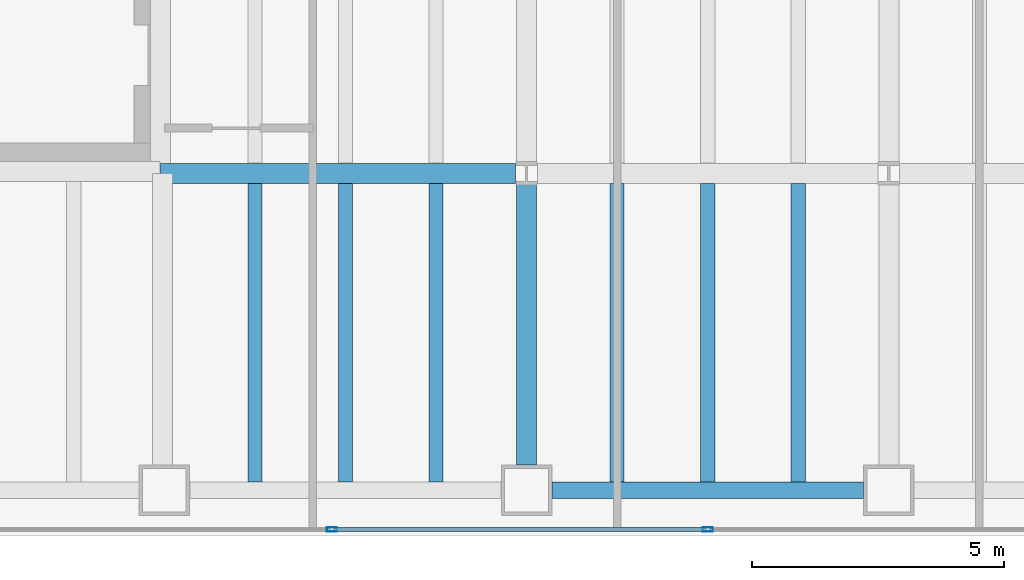
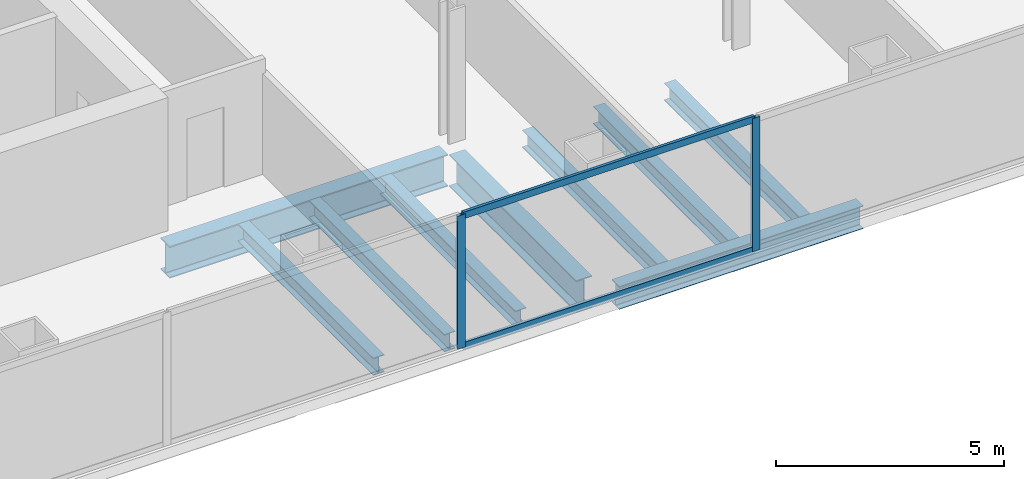
# One storey, part 4 of 23: 9 beams, 4 members, 1 element without a shape of its own.
"""IFC4 building model written with IfcOpenShell, lengths in metres."""

import ifcopenshell
import ifcopenshell.guid

model = None  # the IFC model being written
_history = None  # IfcOwnerHistory: only IFC2X3 demands one
_inside = {}  # id of a spatial element -> (the spatial element, [elements in it])
_under = {}  # id of a project, library or spatial element -> (it, [spatial elements below it])
_declared = {}  # id of a project -> (the project, [libraries it declares])
_typed = {}  # id of a type object -> (the type object, [elements of that type])
_made_of = {}  # id of a material, layer set ... -> (it, [elements and type objects made of it])


def new_model(schema):
    """Start an empty IFC model of exactly this schema.

    Asked for "IFC4X3", IfcOpenShell would pick the latest addendum, in which some entities
    have other attributes; the version numbers below select the first issue.
    IFC2X3 requires an IfcOwnerHistory on every rooted entity: one is made here for all.
    """
    global model, _history
    if schema == "IFC4X3":
        model = ifcopenshell.file(schema_version=(4, 3, 0, 0))
    else:
        model = ifcopenshell.file(schema=schema)
    _inside.clear()
    _under.clear()
    _declared.clear()
    _typed.clear()
    _made_of.clear()
    _history = None
    if model.schema == "IFC2X3":
        org = make("IfcOrganization", Name="unknown")
        user = make(
            "IfcPersonAndOrganization",
            ThePerson=make("IfcPerson", FamilyName="unknown"),
            TheOrganization=org,
        )
        app = make(
            "IfcApplication",
            ApplicationDeveloper=org,
            Version="unknown",
            ApplicationFullName="unknown",
            ApplicationIdentifier="unknown",
        )
        _history = make(
            "IfcOwnerHistory",
            OwningUser=user,
            OwningApplication=app,
            ChangeAction="ADDED",
            CreationDate=0,
        )
    return model


def make(cls, **values):
    """One entity of the class cls with the attributes given. An attribute that is None is left unset."""
    return model.create_entity(
        cls, **{name: value for name, value in values.items() if value is not None}
    )


def rooted(cls, **values):
    """An entity with a GlobalId (a new one), such as an element, a storey or a relation."""
    return make(cls, GlobalId=ifcopenshell.guid.new(), OwnerHistory=_history, **values)


def si_unit(unit_type, name, prefix=None):
    """IfcSIUnit, for example si_unit("LENGTHUNIT", "METRE", prefix="MILLI")."""
    return make("IfcSIUnit", UnitType=unit_type, Prefix=prefix, Name=name)


def assignment(units):
    """IfcUnitAssignment: the units of a project."""
    return None if units is None else make("IfcUnitAssignment", Units=units)


def point(xyz):
    """IfcCartesianPoint."""
    return None if xyz is None else make("IfcCartesianPoint", Coordinates=xyz)


def direction(xyz):
    """IfcDirection."""
    return None if xyz is None else make("IfcDirection", DirectionRatios=xyz)


def frame(location, z_axis=None, x_axis=None):
    """IfcAxis2Placement3D, a coordinate frame: its origin and axes. An axis left out is left unset."""
    return make(
        "IfcAxis2Placement3D",
        Location=point(location),
        Axis=direction(z_axis),
        RefDirection=direction(x_axis),
    )


def frame_2d(location, x_axis=None):
    """IfcAxis2Placement2D, a coordinate frame in the plane: its origin and x axis."""
    return make(
        "IfcAxis2Placement2D", Location=point(location), RefDirection=direction(x_axis)
    )


def origin():
    """The frame at (0, 0, 0) with its axes left unset."""
    return frame((0.0, 0.0, 0.0))


def origin_2d():
    """The frame at (0, 0) in the plane with its x axis left unset."""
    return frame_2d((0.0, 0.0))


def place(relative_to, where):
    """IfcLocalPlacement: puts the frame where relative to a parent placement (None: the world)."""
    return make(
        "IfcLocalPlacement", PlacementRelTo=relative_to, RelativePlacement=where
    )


def context(
    kind, dimensions, precision=None, world=None, true_north=None, identifier=None
):
    """IfcGeometricRepresentationContext, for example the 3D "Model" context."""
    return make(
        "IfcGeometricRepresentationContext",
        ContextIdentifier=identifier,
        ContextType=kind,
        CoordinateSpaceDimension=dimensions,
        Precision=precision,
        WorldCoordinateSystem=world,
        TrueNorth=true_north,
    )


def subcontext(parent, identifier, kind, view, scale=None):
    """IfcGeometricRepresentationSubContext, for example "Body" below "Model"."""
    return make(
        "IfcGeometricRepresentationSubContext",
        ContextIdentifier=identifier,
        ContextType=kind,
        ParentContext=parent,
        TargetScale=scale,
        TargetView=view,
    )


def project(units=None, contexts=None):
    """IfcProject with its units and contexts."""
    return rooted(
        "IfcProject",
        Name="project",
        RepresentationContexts=contexts,
        UnitsInContext=assignment(units),
    )


def spatial(cls, under=None, at=None, **own):
    """A site, building, storey or space (cls), placed at a placement, below another one or the project."""
    s = rooted(cls, ObjectPlacement=at, **own)
    if under is not None:
        _under.setdefault(under.id(), (under, []))[1].append(s)
    return s


def profile(cls, at=None, kind="AREA", **sizes):
    """A parametric profile (cls). Its sizes go by their IFC names, for example OverallWidth=200.0."""
    return make(cls, ProfileType=kind, Position=at, **sizes)


def hollow_rectangle(**sizes):
    """IfcRectangleHollowProfileDef."""
    return profile("IfcRectangleHollowProfileDef", **sizes)


def i_section(**sizes):
    """IfcIShapeProfileDef."""
    return profile("IfcIShapeProfileDef", **sizes)


def extrude(swept, where, along, depth):
    """IfcExtrudedAreaSolid: the profile swept, set in the frame where, extruded along a direction by depth."""
    return make(
        "IfcExtrudedAreaSolid",
        SweptArea=swept,
        Position=where,
        ExtrudedDirection=direction(along),
        Depth=depth,
    )


def shape(context_of_items, identifier, shape_type, items):
    """IfcShapeRepresentation: the items that make up one representation, for example the "Body"."""
    return make(
        "IfcShapeRepresentation",
        ContextOfItems=context_of_items,
        RepresentationIdentifier=identifier,
        RepresentationType=shape_type,
        Items=items,
    )


def material(Name=None, Category=None):
    """IfcMaterial."""
    return make("IfcMaterial", Name=Name, Category=Category)


def material_profile(
    of_material, cross_section, Name=None, Category=None, Priority=None
):
    """IfcMaterialProfile: a cross section and its material."""
    return make(
        "IfcMaterialProfile",
        Name=Name,
        Material=of_material,
        Profile=cross_section,
        Priority=Priority,
        Category=Category,
    )


def profile_set(profiles, Name=None, composite=None):
    """IfcMaterialProfileSet."""
    return make(
        "IfcMaterialProfileSet",
        Name=Name,
        MaterialProfiles=profiles,
        CompositeProfile=composite,
    )


def made_of(thing, what):
    """Note that an element or type object is made of a material, layer set ...; save() writes the relation."""
    if what is not None:
        _made_of.setdefault(what.id(), (what, []))[1].append(thing)
    return thing


def type_object(cls, material=None, **own):
    """A type object (cls), such as IfcWallType, which elements share."""
    return made_of(rooted(cls, **own), material)


def element(
    cls,
    number,
    at=None,
    inside=None,
    cuts=None,
    type_object=None,
    material=None,
    context=None,
    identifier="Body",
    shape_type=None,
    held_by="IfcProductDefinitionShape",
    body=None,
    shapes=None,
    **own,
):
    """One element of the class cls, such as IfcWall. Its Tag is "e" and its number.

    at: its placement. inside: the storey or other place that contains it. cuts: it is an
    opening in that element (IfcRelVoidsElement). A single representation is given by context,
    identifier, shape_type and body (its items); several are given by shapes. held_by: the class
    of the entity that holds the representations. save() writes the other relations.
    """
    e = rooted(cls, Tag="e%d" % number, ObjectPlacement=at, **own)
    if body is not None:
        shapes = [shape(context, identifier, shape_type, body)]
    if shapes is not None:
        e.Representation = make(held_by, Representations=shapes)
    if inside is not None:
        _inside.setdefault(inside.id(), (inside, []))[1].append(e)
    if cuts is not None:
        rooted(
            "IfcRelVoidsElement", RelatingBuildingElement=cuts, RelatedOpeningElement=e
        )
    if type_object is not None:
        _typed.setdefault(type_object.id(), (type_object, []))[1].append(e)
    return made_of(e, material)


def aggregate(whole, parts):
    """IfcRelAggregates: a whole, such as a stair, and the parts it consists of."""
    return rooted("IfcRelAggregates", RelatingObject=whole, RelatedObjects=parts)


def save(model, path):
    """Write the relations noted so far, then the file.

    IfcRelAggregates (storeys below a building ...), IfcRelContainedInSpatialStructure (elements
    in a storey), IfcRelDefinesByType, IfcRelAssociatesMaterial and IfcRelDeclares: one each for
    every whole, place, type object, material and project.
    """
    for whole, parts in _under.values():
        aggregate(whole, parts)
    for where, things in _inside.values():
        rooted(
            "IfcRelContainedInSpatialStructure",
            RelatedElements=things,
            RelatingStructure=where,
        )
    for kind, things in _typed.values():
        rooted("IfcRelDefinesByType", RelatedObjects=things, RelatingType=kind)
    for what, things in _made_of.values():
        rooted("IfcRelAssociatesMaterial", RelatedObjects=things, RelatingMaterial=what)
    for by, libraries in _declared.values():
        rooted("IfcRelDeclares", RelatingContext=by, RelatedDefinitions=libraries)
    model.write(path)


model = new_model("IFC4")

# Units and contexts
model_context = context("Model", 3, precision=1e-05, world=origin(), true_north=direction((0.0, 1.0)))
body_context = subcontext(model_context, "Body", "Model", "MODEL_VIEW")
ifc_project = project(units=[si_unit("LENGTHUNIT", "METRE"), si_unit("AREAUNIT", "SQUARE_METRE"), si_unit("VOLUMEUNIT", "CUBIC_METRE"), si_unit("PLANEANGLEUNIT", "RADIAN"), si_unit("MASSUNIT", "GRAM", prefix="KILO")], contexts=[model_context])

# Site, building, storey
site_placement = place(None, origin())
site = spatial("IfcSite", under=ifc_project, at=site_placement, CompositionType="ELEMENT")
building_placement = place(site_placement, origin())
building = spatial("IfcBuilding", under=site, at=building_placement, Name="Cobrela Telecom Tower", CompositionType="ELEMENT")
storey_placement = place(building_placement, frame((0.0, 0.0, 54.25)))
storey = spatial("IfcBuildingStorey", under=building, at=storey_placement, Name="L13", CompositionType="ELEMENT", Elevation=54.25)

# Beams
ifc_material_1 = material(Name="Steel ASTM A992 Grade 50", Category="steel")
ifc_material_profile_1 = material_profile(ifc_material_1, i_section(OverallWidth=0.39892578125, OverallDepth=0.85595703125, WebThickness=0.018310546875, FlangeThickness=0.029296875, FilletRadius=0.02001953125, at=origin_2d()), Name="W33X201")
ifc_profile_set_1 = profile_set([ifc_material_profile_1], Name="Steel ASTM A992 Grade 50")
beam_type_1 = type_object("IfcBeamType", Name="BM-GIRD-03", PredefinedType="USERDEFINED", material=ifc_profile_set_1)
beam_1_placement = place(storey_placement, frame((14.324951171875, 7.199951171875, -0.7080078125), z_axis=(1.0, 0.0, 0.0), x_axis=(0.0, 1.0, 0.0)))
element("IfcBeam", 1, at=beam_1_placement, inside=storey, type_object=beam_type_1, Name="L13 Primary Girder X08", ObjectType="GIRDER", PredefinedType="USERDEFINED", context=body_context, shape_type="SweptSolid", body=[
    extrude(i_section(OverallWidth=0.39892578125, OverallDepth=0.85595703125, WebThickness=0.018310546875, FlangeThickness=0.029296875, FilletRadius=0.02001953125, at=origin_2d()), origin(), (0.0, 0.0, 1.0), 7.05908203125),
])
beam_2_placement = place(storey_placement, frame((21.60009765625, 1.405029296875, -0.7080078125), z_axis=(0.0, 1.0, 0.0), x_axis=(-1.0, 0.0, 0.0)))
element("IfcBeam", 2, at=beam_2_placement, inside=storey, type_object=beam_type_1, Name="L13 Primary Girder Y40", ObjectType="GIRDER", PredefinedType="USERDEFINED", context=body_context, shape_type="SweptSolid", body=[
    extrude(i_section(OverallWidth=0.39892578125, OverallDepth=0.85595703125, WebThickness=0.018310546875, FlangeThickness=0.029296875, FilletRadius=0.02001953125, at=origin_2d()), origin(), (0.0, 0.0, 1.0), 5.578857421875),
])
ifc_material_profile_2 = material_profile(ifc_material_1, i_section(OverallWidth=0.281982421875, OverallDepth=0.467041015625, WebThickness=0.01220703125, FlangeThickness=0.01953125, FilletRadius=0.012939453125, at=origin_2d()), Name="W18X86")
ifc_profile_set_2 = profile_set([ifc_material_profile_2], Name="Steel ASTM A992 Grade 50")
beam_type_2 = type_object("IfcBeamType", Name="BM-JOIST-02", PredefinedType="JOIST", material=ifc_profile_set_2)
for number, where, z_axis, x_axis, name in (
    (3, (16.199951171875, 1.0673828125, -0.513427734375), (0.0, 1.0, 0.0), (-1.0, 0.0, 0.0), "L13 Secondary Composite Floor Beam J07"),
    (4, (18.0, 1.0673828125, -0.513427734375), (0.0, 1.0, 0.0), (-1.0, 0.0, 0.0), "L13 Secondary Composite Floor Beam J13"),
    (5, (19.800048828125, 1.0673828125, -0.513427734375), (0.0, 1.0, 0.0), (-1.0, 0.0, 0.0), "L13 Secondary Composite Floor Beam J19"),
    (6, (23.39990234375, 1.0673828125, -0.513427734375), (0.0, 1.0, 0.0), (-1.0, 0.0, 0.0), "L13 Secondary Composite Floor Beam J25"),
    (7, (25.199951171875, 1.0673828125, -0.513427734375), (0.0, 1.0, 0.0), (-1.0, 0.0, 0.0), "L13 Secondary Composite Floor Beam J31"),
    (8, (27.0, 1.0673828125, -0.513427734375), (0.0, 1.0, 0.0), (-1.0, 0.0, 0.0), "L13 Secondary Composite Floor Beam J36"),
):
    element("IfcBeam", number, at=place(storey_placement, frame(where, z_axis=z_axis, x_axis=x_axis)), inside=storey, type_object=beam_type_2, Name=name, PredefinedType="JOIST", context=body_context, shape_type="SweptSolid", body=[
        extrude(i_section(OverallWidth=0.281982421875, OverallDepth=0.467041015625, WebThickness=0.01220703125, FlangeThickness=0.01953125, FilletRadius=0.012939453125, at=origin_2d()), origin(), (0.0, 0.0, 1.0), 5.92822265625),
    ])
ifc_material_profile_3 = material_profile(ifc_material_1, i_section(OverallWidth=0.324951171875, OverallDepth=0.612060546875, WebThickness=0.0126953125, FlangeThickness=0.01904296875, FilletRadius=0.014892578125, at=origin_2d()), Name="W24X104")
ifc_profile_set_3 = profile_set([ifc_material_profile_3], Name="Steel ASTM A992 Grade 50")
beam_type_3 = type_object("IfcBeamType", Name="BM-SPAND-02", PredefinedType="SPANDREL", material=ifc_profile_set_3)
beam_3_placement = place(storey_placement, frame((22.10498046875, 0.89990234375, -0.5859375), z_axis=(1.0, 0.0, 0.0), x_axis=(0.0, 1.0, 0.0)))
element("IfcBeam", 9, at=beam_3_placement, inside=storey, type_object=beam_type_3, Name="L13 Perimeter Spandrel X03", PredefinedType="SPANDREL", context=body_context, shape_type="SweptSolid", body=[
    extrude(i_section(OverallWidth=0.324951171875, OverallDepth=0.612060546875, WebThickness=0.0126953125, FlangeThickness=0.01904296875, FilletRadius=0.014892578125, at=origin_2d()), origin(), (0.0, 0.0, 1.0), 6.18994140625),
])

# Curtain wall, members
ifc_material_2 = material(Name="Anodized Bronze Aluminium 6063-T6", Category="aluminium")
curtain_wall_type = type_object("IfcCurtainWallType", Name="CW-SYS-DATA", PredefinedType="USERDEFINED", material=ifc_material_2)
curtain_wall_placement = place(storey_placement, origin())
curtain_wall = element("IfcCurtainWall", 10, at=curtain_wall_placement, inside=storey, type_object=curtain_wall_type, Name="L13 Unitised Bronze Curtain Wall 17", ObjectType="UNITISED CURTAIN WALL", PredefinedType="USERDEFINED")
ifc_material_profile_4 = material_profile(ifc_material_2, hollow_rectangle(XDim=0.080078125, YDim=0.199951171875, WallThickness=0.00390625, at=origin_2d()), Name="ALU 80x200x4")
ifc_profile_set_4 = profile_set([ifc_material_profile_4], Name="Anodized Bronze Aluminium 6063-T6")
member_type_1 = type_object("IfcMemberType", Name="CW-SYS-DATA-MUL", PredefinedType="MULLION", material=ifc_profile_set_4)
member_1_placement = place(storey_placement, frame((25.199951171875, 0.1201171875, 0.0), z_axis=(0.0, 0.0, 1.0), x_axis=(0.0, -1.0, 0.0)))
member_1 = element("IfcMember", 11, at=member_1_placement, type_object=member_type_1, Name="CW-DATA mullion 4", PredefinedType="MULLION", context=body_context, shape_type="SweptSolid", body=[
    extrude(hollow_rectangle(XDim=0.080078125, YDim=0.199951171875, WallThickness=0.00390625, at=origin_2d()), origin(), (0.0, 0.0, 1.0), 3.570068359375),
])
member_2_placement = place(storey_placement, frame((17.72998046875, 0.1201171875, 0.0), z_axis=(0.0, 0.0, 1.0), x_axis=(0.0, -1.0, 0.0)))
member_2 = element("IfcMember", 12, at=member_2_placement, type_object=member_type_1, Name="CW-DATA mullion 5", PredefinedType="MULLION", context=body_context, shape_type="SweptSolid", body=[
    extrude(hollow_rectangle(XDim=0.080078125, YDim=0.199951171875, WallThickness=0.00390625, at=origin_2d()), origin(), (0.0, 0.0, 1.0), 3.570068359375),
])
ifc_material_profile_5 = material_profile(ifc_material_2, hollow_rectangle(XDim=0.074951171875, YDim=0.179931640625, WallThickness=0.00390625, at=origin_2d()), Name="ALU 75x180x4")
ifc_profile_set_5 = profile_set([ifc_material_profile_5], Name="Anodized Bronze Aluminium 6063-T6")
member_type_2 = type_object("IfcMemberType", Name="CW-SYS-DATA-TRN", PredefinedType="USERDEFINED", material=ifc_profile_set_5)
member_3_placement = place(storey_placement, frame((25.159912109375, 0.1201171875, 0.03759765625), z_axis=(-1.0, 0.0, 0.0), x_axis=(0.0, -1.0, 0.0)))
member_3 = element("IfcMember", 13, at=member_3_placement, type_object=member_type_2, Name="CW-DATA transom 4.1", ObjectType="TRANSOM", PredefinedType="USERDEFINED", context=body_context, shape_type="SweptSolid", body=[
    extrude(hollow_rectangle(XDim=0.074951171875, YDim=0.179931640625, WallThickness=0.00390625, at=origin_2d()), origin(), (0.0, 0.0, 1.0), 7.389892578125),
])
member_4_placement = place(storey_placement, frame((25.159912109375, 0.1201171875, 3.532470703125), z_axis=(-1.0, 0.0, 0.0), x_axis=(0.0, -1.0, 0.0)))
member_4 = element("IfcMember", 14, at=member_4_placement, type_object=member_type_2, Name="CW-DATA transom 4.2", ObjectType="TRANSOM", PredefinedType="USERDEFINED", context=body_context, shape_type="SweptSolid", body=[
    extrude(hollow_rectangle(XDim=0.074951171875, YDim=0.179931640625, WallThickness=0.00390625, at=origin_2d()), origin(), (0.0, 0.0, 1.0), 7.389892578125),
])
aggregate(curtain_wall, [member_1, member_2, member_3, member_4])

save(model, "model.ifc")
